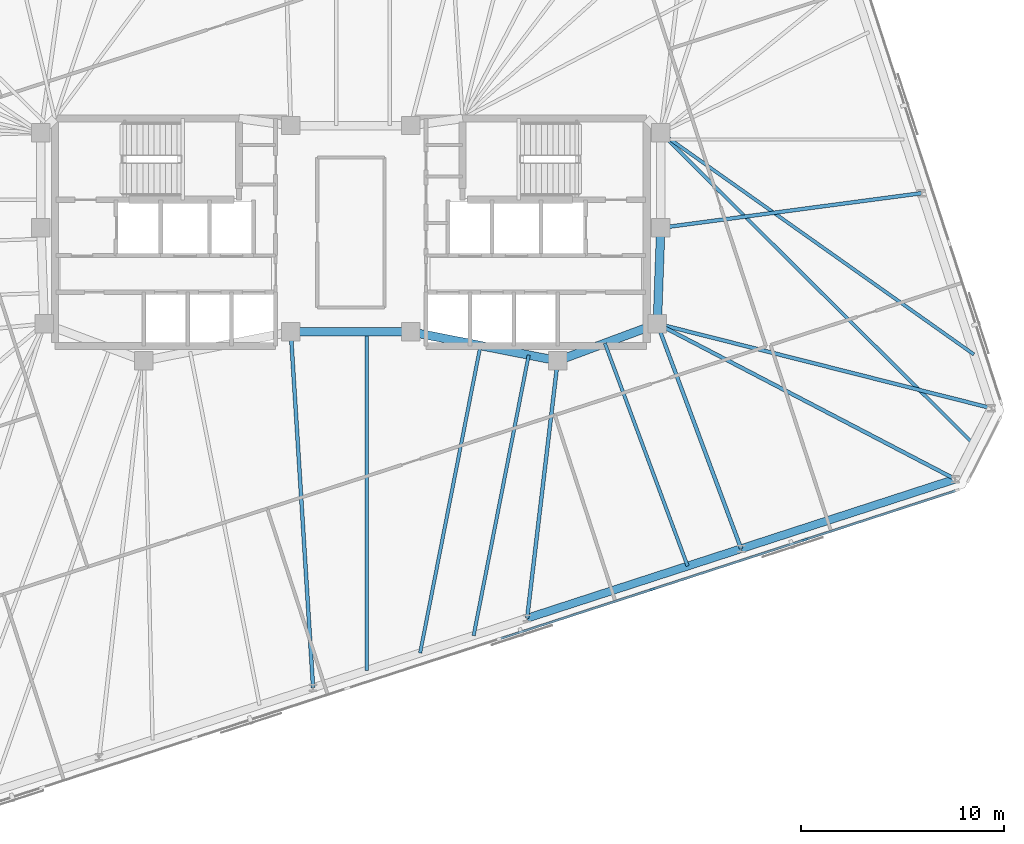
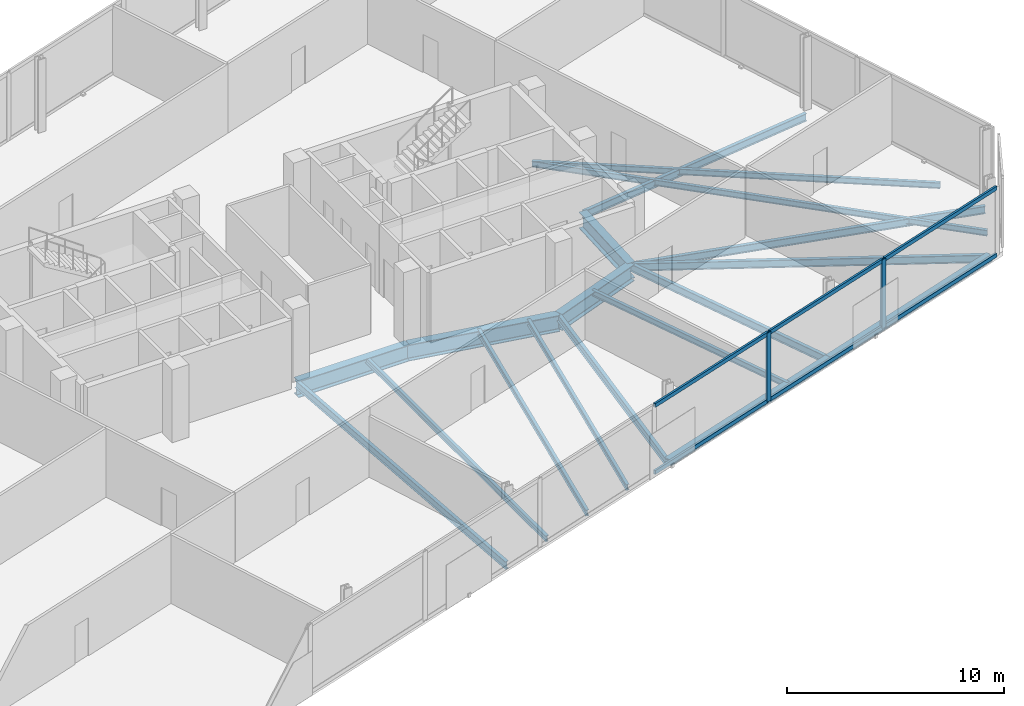
# One storey, part 6 of 14: 18 beams, 8 members, 1 element without a shape of its own.
"""IFC4 building model written with IfcOpenShell, lengths in metres."""

from ifc_helpers import new_model, si_unit, direction, frame, origin, origin_2d, place, context, subcontext, project, spatial, rectangle, i_section, extrude, material, material_profile, profile_set, type_object, element, aggregate, save


model = new_model("IFC4")

# Units and contexts
model_context = context("Model", 3, precision=1e-05, world=origin(), true_north=direction((0.0, 1.0)))
body_context = subcontext(model_context, "Body", "Model", "MODEL_VIEW")
ifc_project = project(units=[si_unit("LENGTHUNIT", "METRE"), si_unit("AREAUNIT", "SQUARE_METRE"), si_unit("VOLUMEUNIT", "CUBIC_METRE"), si_unit("PLANEANGLEUNIT", "RADIAN"), si_unit("MASSUNIT", "GRAM", prefix="KILO")], contexts=[model_context])

# Site, building, storey
site_placement = place(None, origin())
site = spatial("IfcSite", under=ifc_project, at=site_placement, CompositionType="ELEMENT")
building_placement = place(site_placement, origin())
building = spatial("IfcBuilding", under=site, at=building_placement, Name="Menara Jurai Vektor", CompositionType="ELEMENT")
storey_placement = place(building_placement, frame((0.0, 0.0, 206.800048828125)))
storey = spatial("IfcBuildingStorey", under=building, at=storey_placement, Name="L54", CompositionType="ELEMENT", Elevation=206.800048828125)

# Curtain wall, members
ifc_material_1 = material(Name="Anodised Pale Aluminium & Low-E Double Glazing", Category="aluminium")
curtain_wall_type = type_object("IfcCurtainWallType", Name="CW-SKY", PredefinedType="NOTDEFINED", material=ifc_material_1)
curtain_wall_placement = place(storey_placement, origin())
curtain_wall = element("IfcCurtainWall", 1, at=curtain_wall_placement, inside=storey, type_object=curtain_wall_type, Name="Unitised Curtain Wall L54 F01", PredefinedType="NOTDEFINED")
ifc_material_2 = material(Name="Anodised Pale Aluminium Mullion", Category="aluminium")
ifc_material_profile_1 = material_profile(ifc_material_2, rectangle(XDim=0.110107421875, YDim=0.280029296875, at=origin_2d()), Name="ALU MUL 110x280")
ifc_profile_set_1 = profile_set([ifc_material_profile_1], Name="Anodised Pale Aluminium Mullion")
member_type_1 = type_object("IfcMemberType", Name="CW-SKY-MUL", PredefinedType="MULLION", material=ifc_profile_set_1)
member_1_placement = place(storey_placement, frame((14.838134765625, -17.563232421875, 0.0), z_axis=(0.0, 0.0, 1.0), x_axis=(-0.309017344167, 0.951056402641, 0.0)))
member_1 = element("IfcMember", 2, at=member_1_placement, type_object=member_type_1, Name="CW-06 mullion 6", PredefinedType="MULLION", context=body_context, shape_type="SweptSolid", body=[
    extrude(rectangle(XDim=0.110107421875, YDim=0.280029296875, at=origin_2d()), origin(), (0.0, 0.0, 1.0), 3.875),
])
member_2_placement = place(storey_placement, frame((22.34326171875, -15.124755859375, 0.0), z_axis=(0.0, 0.0, 1.0), x_axis=(-0.309017344167, 0.951056402641, 0.0)))
member_2 = element("IfcMember", 3, at=member_2_placement, type_object=member_type_1, Name="CW-06 mullion 7", PredefinedType="MULLION", context=body_context, shape_type="SweptSolid", body=[
    extrude(rectangle(XDim=0.110107421875, YDim=0.280029296875, at=origin_2d()), origin(), (0.0, 0.0, 1.0), 3.875),
])
ifc_material_3 = material(Name="Anodised Pale Aluminium Transom", Category="aluminium")
ifc_material_profile_2 = material_profile(ifc_material_3, rectangle(XDim=0.110107421875, YDim=0.219970703125, at=origin_2d()), Name="ALU TRN 110x220")
ifc_profile_set_2 = profile_set([ifc_material_profile_2], Name="Anodised Pale Aluminium Transom")
member_type_2 = type_object("IfcMemberType", Name="CW-SKY-TRN", PredefinedType="USERDEFINED", material=ifc_profile_set_2)
member_3_placement = place(storey_placement, frame((7.38525390625, -19.98486328125, 0.054931640625), z_axis=(0.951059197217, 0.309008743225, 0.0), x_axis=(-0.309008743225, 0.951059197217, 0.0)))
member_3 = element("IfcMember", 4, at=member_3_placement, type_object=member_type_2, Name="CW-06 transom 5.1", ObjectType="TRANSOM", PredefinedType="USERDEFINED", context=body_context, shape_type="SweptSolid", body=[
    extrude(rectangle(XDim=0.110107421875, YDim=0.219970703125, at=origin_2d()), origin(), (0.0, 0.0, 1.0), 7.781494140625),
])
member_4_placement = place(storey_placement, frame((7.38525390625, -19.98486328125, 3.820068359375), z_axis=(0.951059197217, 0.309008743225, 0.0), x_axis=(-0.309008743225, 0.951059197217, 0.0)))
member_4 = element("IfcMember", 5, at=member_4_placement, type_object=member_type_2, Name="CW-06 transom 5.2", ObjectType="TRANSOM", PredefinedType="USERDEFINED", context=body_context, shape_type="SweptSolid", body=[
    extrude(rectangle(XDim=0.110107421875, YDim=0.219970703125, at=origin_2d()), origin(), (0.0, 0.0, 1.0), 7.781494140625),
])
member_5_placement = place(storey_placement, frame((14.890380859375, -17.54638671875, 0.054931640625), z_axis=(0.95104997633, 0.309037121593, 0.0), x_axis=(-0.309037121593, 0.95104997633, 0.0)))
member_5 = element("IfcMember", 6, at=member_5_placement, type_object=member_type_2, Name="CW-06 transom 6.1", ObjectType="TRANSOM", PredefinedType="USERDEFINED", context=body_context, shape_type="SweptSolid", body=[
    extrude(rectangle(XDim=0.110107421875, YDim=0.219970703125, at=origin_2d()), origin(), (0.0, 0.0, 1.0), 7.781494140625),
])
member_6_placement = place(storey_placement, frame((14.890380859375, -17.54638671875, 3.820068359375), z_axis=(0.95104997633, 0.309037121593, 0.0), x_axis=(-0.309037121593, 0.95104997633, 0.0)))
member_6 = element("IfcMember", 7, at=member_6_placement, type_object=member_type_2, Name="CW-06 transom 6.2", ObjectType="TRANSOM", PredefinedType="USERDEFINED", context=body_context, shape_type="SweptSolid", body=[
    extrude(rectangle(XDim=0.110107421875, YDim=0.219970703125, at=origin_2d()), origin(), (0.0, 0.0, 1.0), 7.781494140625),
])
member_7_placement = place(storey_placement, frame((22.3955078125, -15.107666015625, 0.054931640625), z_axis=(0.951054268404, 0.309023912588, 0.0), x_axis=(-0.309023912588, 0.951054268404, 0.0)))
member_7 = element("IfcMember", 8, at=member_7_placement, type_object=member_type_2, Name="CW-06 transom 7.1", ObjectType="TRANSOM", PredefinedType="USERDEFINED", context=body_context, shape_type="SweptSolid", body=[
    extrude(rectangle(XDim=0.110107421875, YDim=0.219970703125, at=origin_2d()), origin(), (0.0, 0.0, 1.0), 7.7265625),
])
member_8_placement = place(storey_placement, frame((22.3955078125, -15.107666015625, 3.820068359375), z_axis=(0.951054268404, 0.309023912588, 0.0), x_axis=(-0.309023912588, 0.951054268404, 0.0)))
member_8 = element("IfcMember", 9, at=member_8_placement, type_object=member_type_2, Name="CW-06 transom 7.2", ObjectType="TRANSOM", PredefinedType="USERDEFINED", context=body_context, shape_type="SweptSolid", body=[
    extrude(rectangle(XDim=0.110107421875, YDim=0.219970703125, at=origin_2d()), origin(), (0.0, 0.0, 1.0), 7.7265625),
])
aggregate(curtain_wall, [member_1, member_2, member_3, member_4, member_5, member_6, member_7, member_8])

# Beams
ifc_material_4 = material(Name="Steel S355", Category="steel")
ifc_material_profile_3 = material_profile(ifc_material_4, i_section(OverallWidth=0.18505859375, OverallDepth=0.429931640625, WebThickness=0.010986328125, FlangeThickness=0.01806640625, at=origin_2d()), Name="PG 430x185x76")
ifc_profile_set_3 = profile_set([ifc_material_profile_3], Name="Steel S355")
beam_type_1 = type_object("IfcBeamType", Name="STR-BM-430", PredefinedType="BEAM", material=ifc_profile_set_3)
beam_1_placement = place(storey_placement, frame((-1.854248046875, -22.40869140625, -0.465087890625), z_axis=(-0.062457995419, 0.998047593458, 0.0), x_axis=(-0.998047593458, -0.062457995419, 0.0)))
element("IfcBeam", 10, at=beam_1_placement, inside=storey, type_object=beam_type_1, Name="Radial Floor Girder L54-S3", PredefinedType="BEAM", context=body_context, shape_type="SweptSolid", body=[
    extrude(i_section(OverallWidth=0.18505859375, OverallDepth=0.429931640625, WebThickness=0.010986328125, FlangeThickness=0.01806640625, at=origin_2d()), origin(), (0.0, 0.0, 1.0), 17.54296875),
])
beam_2_placement = place(storey_placement, frame((8.675048828125, -18.987548828125, -0.465087890625), z_axis=(0.117969360513, 0.99301723549, 0.0), x_axis=(-0.99301723549, 0.117969360513, 0.0)))
element("IfcBeam", 11, at=beam_2_placement, inside=storey, type_object=beam_type_1, Name="Radial Floor Girder L54-S4", PredefinedType="BEAM", context=body_context, shape_type="SweptSolid", body=[
    extrude(i_section(OverallWidth=0.18505859375, OverallDepth=0.429931640625, WebThickness=0.010986328125, FlangeThickness=0.01806640625, at=origin_2d()), origin(), (0.0, 0.0, 1.0), 12.756591796875),
])
beam_3_placement = place(storey_placement, frame((19.204345703125, -15.56640625, -0.465087890625), z_axis=(-0.349219718154, 0.93704086808, 0.0), x_axis=(-0.93704086808, -0.349219718154, 0.0)))
element("IfcBeam", 12, at=beam_3_placement, inside=storey, type_object=beam_type_1, Name="Radial Floor Girder L54-S5", PredefinedType="BEAM", context=body_context, shape_type="SweptSolid", body=[
    extrude(i_section(OverallWidth=0.18505859375, OverallDepth=0.429931640625, WebThickness=0.010986328125, FlangeThickness=0.01806640625, at=origin_2d()), origin(), (0.0, 0.0, 1.0), 11.81005859375),
])
beam_4_placement = place(storey_placement, frame((29.7333984375, -12.14501953125, -0.465087890625), z_axis=(-0.886589587068, 0.462556919851, 0.0), x_axis=(-0.462556919851, -0.886589587068, 0.0)))
element("IfcBeam", 13, at=beam_4_placement, inside=storey, type_object=beam_type_1, Name="Radial Floor Girder L54-S6", PredefinedType="BEAM", context=body_context, shape_type="SweptSolid", body=[
    extrude(i_section(OverallWidth=0.18505859375, OverallDepth=0.429931640625, WebThickness=0.010986328125, FlangeThickness=0.01806640625, at=origin_2d()), origin(), (0.0, 0.0, 1.0), 16.52783203125),
])
beam_5_placement = place(storey_placement, frame((31.513427734375, -8.652099609375, -0.465087890625), z_axis=(-0.969531956771, 0.244964864418, 0.0), x_axis=(-0.244964864418, -0.969531956771, 0.0)))
element("IfcBeam", 14, at=beam_5_placement, inside=storey, type_object=beam_type_1, Name="Radial Floor Girder L54-E1", PredefinedType="BEAM", context=body_context, shape_type="SweptSolid", body=[
    extrude(i_section(OverallWidth=0.18505859375, OverallDepth=0.429931640625, WebThickness=0.010986328125, FlangeThickness=0.01806640625, at=origin_2d()), origin(), (0.0, 0.0, 1.0), 16.94970703125),
])
beam_6_placement = place(storey_placement, frame((28.07763671875, 1.92236328125, -0.465087890625), z_axis=(-0.99130829243, -0.131559375797, 0.0), x_axis=(0.131559375797, -0.99130829243, 0.0)))
element("IfcBeam", 15, at=beam_6_placement, inside=storey, type_object=beam_type_1, Name="Radial Floor Girder L54-E2", PredefinedType="BEAM", context=body_context, shape_type="SweptSolid", body=[
    extrude(i_section(OverallWidth=0.18505859375, OverallDepth=0.429931640625, WebThickness=0.010986328125, FlangeThickness=0.01806640625, at=origin_2d()), origin(), (0.0, 0.0, 1.0), 12.940185546875),
])
ifc_material_5 = material(Name="Steel S460", Category="steel")
ifc_material_profile_4 = material_profile(ifc_material_5, i_section(OverallWidth=0.39697265625, OverallDepth=0.31591796875, WebThickness=0.030029296875, FlangeThickness=0.048095703125, FilletRadius=0.014892578125, at=origin_2d()), Name="HD 400x382")
ifc_profile_set_4 = profile_set([ifc_material_profile_4], Name="Steel S460")
beam_type_2 = type_object("IfcBeamType", Name="STR-BM-CHORD382", PredefinedType="SPANDREL", material=ifc_profile_set_4)
for number, where, z_axis, x_axis, name in (
    (16, (8.675048828125, -18.987548828125, -0.407958984375), (0.951057401967, 0.309014268544, 0.0), (-0.309014268544, 0.951057401967, 0.0), "Exoskeleton Spandrel Beam L54-04"),
    (17, (19.204345703125, -15.56640625, -0.407958984375), (0.951048814879, 0.309040695892, 0.0), (-0.309040695892, 0.951048814879, 0.0), "Exoskeleton Spandrel Beam L54-05"),
):
    element("IfcBeam", number, at=place(storey_placement, frame(where, z_axis=z_axis, x_axis=x_axis)), inside=storey, type_object=beam_type_2, Name=name, PredefinedType="SPANDREL", context=body_context, shape_type="SweptSolid", body=[
        extrude(i_section(OverallWidth=0.39697265625, OverallDepth=0.31591796875, WebThickness=0.030029296875, FlangeThickness=0.048095703125, FilletRadius=0.014892578125, at=origin_2d()), origin(), (0.0, 0.0, 1.0), 11.071044921875),
    ])
ifc_material_profile_5 = material_profile(ifc_material_5, i_section(OverallWidth=0.4208984375, OverallDepth=0.9208984375, WebThickness=0.02099609375, FlangeThickness=0.037109375, FilletRadius=0.02392578125, at=origin_2d()), Name="UKB 914x419x388")
ifc_profile_set_5 = profile_set([ifc_material_profile_5], Name="Steel S460")
beam_type_3 = type_object("IfcBeamType", Name="STR-BM-TR914", PredefinedType="BEAM", material=ifc_profile_set_5)
beam_7_placement = place(storey_placement, frame((15.080078125, -4.5, -0.71044921875), z_axis=(0.035977314146, 0.999352606874, 0.0), x_axis=(-0.999352606874, 0.035977314146, 0.0)))
element("IfcBeam", 18, at=beam_7_placement, inside=storey, type_object=beam_type_3, Name="Core Ring Header Girder L54-CHE-E2", PredefinedType="BEAM", context=body_context, shape_type="SweptSolid", body=[
    extrude(i_section(OverallWidth=0.4208984375, OverallDepth=0.9208984375, WebThickness=0.02099609375, FlangeThickness=0.037109375, FilletRadius=0.02392578125, at=origin_2d()), origin(), (0.0, 0.0, 1.0), 4.72314453125),
])
beam_8_placement = place(storey_placement, frame((10.179931640625, -6.320068359375, -0.71044921875), z_axis=(0.937424400887, 0.348188874925, 0.0), x_axis=(-0.348188874925, 0.937424400887, 0.0)))
element("IfcBeam", 19, at=beam_8_placement, inside=storey, type_object=beam_type_3, Name="Core Ring Header Girder L54-CHE-S1", PredefinedType="BEAM", context=body_context, shape_type="SweptSolid", body=[
    extrude(i_section(OverallWidth=0.4208984375, OverallDepth=0.9208984375, WebThickness=0.02099609375, FlangeThickness=0.037109375, FilletRadius=0.02392578125, at=origin_2d()), origin(), (0.0, 0.0, 1.0), 5.227294921875),
])
beam_9_placement = place(storey_placement, frame((2.949951171875, -4.89990234375, -0.71044921875), z_axis=(0.981249044334, -0.192744164614, 0.0), x_axis=(0.192744164614, 0.981249044334, 0.0)))
element("IfcBeam", 20, at=beam_9_placement, inside=storey, type_object=beam_type_3, Name="Core Ring Header Girder L54-CHE-S2", PredefinedType="BEAM", context=body_context, shape_type="SweptSolid", body=[
    extrude(i_section(OverallWidth=0.4208984375, OverallDepth=0.9208984375, WebThickness=0.02099609375, FlangeThickness=0.037109375, FilletRadius=0.02392578125, at=origin_2d()), origin(), (0.0, 0.0, 1.0), 7.3681640625),
])
beam_10_placement = place(storey_placement, frame((-2.949951171875, -4.89990234375, -0.71044921875), z_axis=(1.0, 0.0, 0.0), x_axis=(0.0, 1.0, 0.0)))
element("IfcBeam", 21, at=beam_10_placement, inside=storey, type_object=beam_type_3, Name="Core Ring Header Girder L54-CC-1", PredefinedType="BEAM", context=body_context, shape_type="SweptSolid", body=[
    extrude(i_section(OverallWidth=0.4208984375, OverallDepth=0.9208984375, WebThickness=0.02099609375, FlangeThickness=0.037109375, FilletRadius=0.02392578125, at=origin_2d()), origin(), (0.0, 0.0, 1.0), 5.89990234375),
])
ifc_material_profile_6 = material_profile(ifc_material_4, i_section(OverallWidth=0.1650390625, OverallDepth=0.330078125, WebThickness=0.009033203125, FlangeThickness=0.013916015625, at=origin_2d()), Name="PG 330x165x46")
ifc_profile_set_6 = profile_set([ifc_material_profile_6], Name="Steel S355")
beam_type_4 = type_object("IfcBeamType", Name="STR-JS-330", PredefinedType="JOIST", material=ifc_profile_set_6)
beam_11_placement = place(storey_placement, frame((0.778076171875, -21.55322265625, -0.4150390625), z_axis=(0.0, 1.0, 0.0), x_axis=(-1.0, 0.0, 0.0)))
element("IfcBeam", 22, at=beam_11_placement, inside=storey, type_object=beam_type_4, Name="Radial Secondary Floor Joist L54-JS05", PredefinedType="JOIST", context=body_context, shape_type="SweptSolid", body=[
    extrude(i_section(OverallWidth=0.1650390625, OverallDepth=0.330078125, WebThickness=0.009033203125, FlangeThickness=0.013916015625, at=origin_2d()), origin(), (0.0, 0.0, 1.0), 16.6533203125),
])
beam_12_placement = place(storey_placement, frame((3.410400390625, -20.697998046875, -0.4150390625), z_axis=(0.192721610081, 0.981253474393, 0.0), x_axis=(-0.981253474393, 0.192721610081, 0.0)))
element("IfcBeam", 23, at=beam_12_placement, inside=storey, type_object=beam_type_4, Name="Radial Secondary Floor Joist L54-JS06", PredefinedType="JOIST", context=body_context, shape_type="SweptSolid", body=[
    extrude(i_section(OverallWidth=0.1650390625, OverallDepth=0.330078125, WebThickness=0.009033203125, FlangeThickness=0.013916015625, at=origin_2d()), origin(), (0.0, 0.0, 1.0), 15.413330078125),
])
beam_13_placement = place(storey_placement, frame((6.042724609375, -19.8427734375, -0.4150390625), z_axis=(0.192720535629, 0.981253685418, 0.0), x_axis=(-0.981253685418, 0.192720535629, 0.0)))
element("IfcBeam", 24, at=beam_13_placement, inside=storey, type_object=beam_type_4, Name="Radial Secondary Floor Joist L54-JS07", PredefinedType="JOIST", context=body_context, shape_type="SweptSolid", body=[
    extrude(i_section(OverallWidth=0.1650390625, OverallDepth=0.330078125, WebThickness=0.009033203125, FlangeThickness=0.013916015625, at=origin_2d()), origin(), (0.0, 0.0, 1.0), 14.066650390625),
])
beam_14_placement = place(storey_placement, frame((16.572021484375, -16.421630859375, -0.4150390625), z_axis=(-0.348179715909, 0.937427802782, 0.0), x_axis=(-0.937427802782, -0.348179715909, 0.0)))
element("IfcBeam", 25, at=beam_14_placement, inside=storey, type_object=beam_type_4, Name="Radial Secondary Floor Joist L54-JS08", PredefinedType="JOIST", context=body_context, shape_type="SweptSolid", body=[
    extrude(i_section(OverallWidth=0.1650390625, OverallDepth=0.330078125, WebThickness=0.009033203125, FlangeThickness=0.013916015625, at=origin_2d()), origin(), (0.0, 0.0, 1.0), 11.695068359375),
])
beam_15_placement = place(storey_placement, frame((30.62353515625, -10.398681640625, -0.4150390625), z_axis=(-0.70883256901, 0.705376771032, 0.0), x_axis=(-0.705376771032, -0.70883256901, 0.0)))
element("IfcBeam", 26, at=beam_15_placement, inside=storey, type_object=beam_type_4, Name="Radial Secondary Floor Joist L54-JS09", PredefinedType="JOIST", context=body_context, shape_type="SweptSolid", body=[
    extrude(i_section(OverallWidth=0.1650390625, OverallDepth=0.330078125, WebThickness=0.009033203125, FlangeThickness=0.013916015625, at=origin_2d()), origin(), (0.0, 0.0, 1.0), 21.6884765625),
])
beam_16_placement = place(storey_placement, frame((30.654296875, -6.00830078125, -0.4150390625), z_axis=(-0.816103783972, 0.577905367501, 0.0), x_axis=(-0.577905367501, -0.816103783972, 0.0)))
element("IfcBeam", 27, at=beam_16_placement, inside=storey, type_object=beam_type_4, Name="Radial Secondary Floor Joist L54-JS10", PredefinedType="JOIST", context=body_context, shape_type="SweptSolid", body=[
    extrude(i_section(OverallWidth=0.1650390625, OverallDepth=0.330078125, WebThickness=0.009033203125, FlangeThickness=0.013916015625, at=origin_2d()), origin(), (0.0, 0.0, 1.0), 18.87548828125),
])

save(model, "model.ifc")
